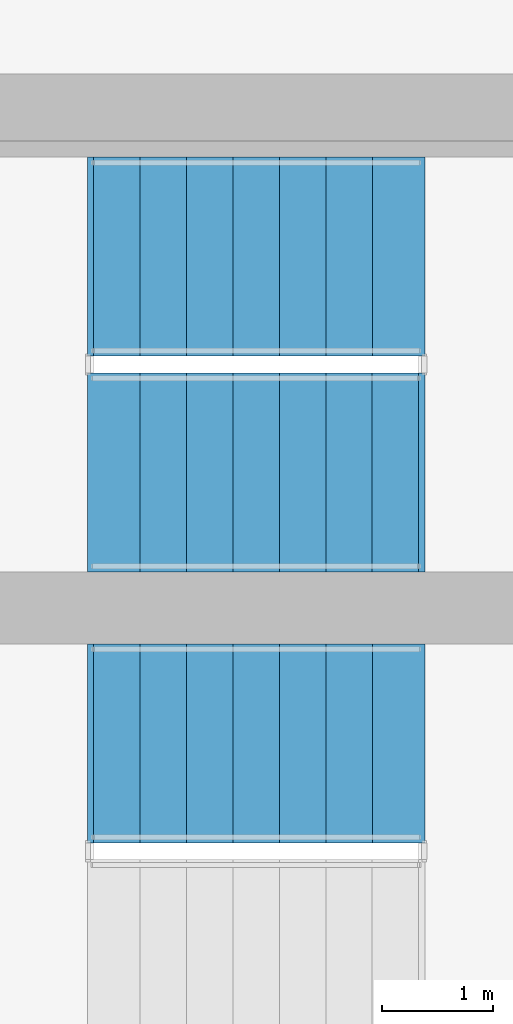
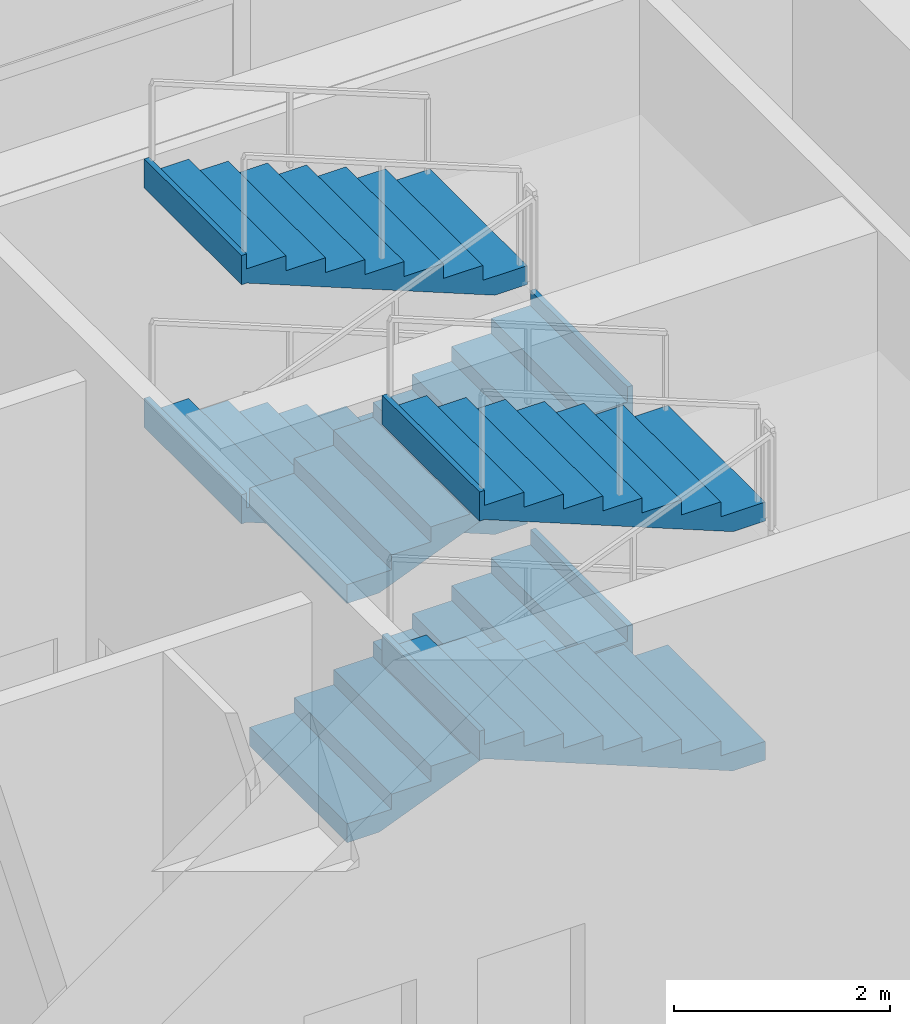
# One storey, part 12 of 16: 6 stair flights, 2 elements without a shape of their own.
"""IFC4 building model written with IfcOpenShell, lengths in metres."""

from ifc_helpers import new_model, si_unit, direction, frame, origin, place, context, subcontext, project, spatial, polyline, outline, extrude, material, type_object, element, aggregate, save


model = new_model("IFC4")

# Units and contexts
model_context = context("Model", 3, precision=1e-05, world=origin(), true_north=direction((0.0, 1.0)))
body_context = subcontext(model_context, "Body", "Model", "MODEL_VIEW")
ifc_project = project(units=[si_unit("LENGTHUNIT", "METRE"), si_unit("AREAUNIT", "SQUARE_METRE"), si_unit("VOLUMEUNIT", "CUBIC_METRE"), si_unit("PLANEANGLEUNIT", "RADIAN"), si_unit("MASSUNIT", "GRAM", prefix="KILO")], contexts=[model_context])

# Site, building, storey
site_placement = place(None, origin())
site = spatial("IfcSite", under=ifc_project, at=site_placement, CompositionType="ELEMENT")
building_placement = place(site_placement, origin())
building = spatial("IfcBuilding", under=site, at=building_placement, Name="Caeloran Harvest Quay", CompositionType="ELEMENT")
storey_placement = place(building_placement, frame((0.0, 0.0, 16.199951171875)))
storey = spatial("IfcBuildingStorey", under=building, at=storey_placement, Name="L04", CompositionType="ELEMENT", Elevation=16.199951171875)

# Stair, stair flights
ifc_material = material(Name="Concrete C50/60", Category="concrete")
stair_type = type_object("IfcStairType", Name="STAIR-STC-180", PredefinedType="HALF_TURN_STAIR", material=ifc_material)
stair_1_placement = place(storey_placement, origin())
stair_1 = element("IfcStair", 1, at=stair_1_placement, inside=storey, type_object=stair_type, Name="L04 Core Pressurized Exit Stair ST-C1", PredefinedType="HALF_TURN_STAIR")
stair_flight_type = type_object("IfcStairFlightType", Name="FLIGHT-STC-180", PredefinedType="STRAIGHT", material=ifc_material)
stair_flight_1_placement = place(storey_placement, frame((15.89990234375, 37.39990234375, 0.0), z_axis=(0.0, 0.0, 1.0), x_axis=(1.0, 0.0, 0.0)))
stair_flight_1 = element("IfcStairFlight", 2, at=stair_flight_1_placement, type_object=stair_flight_type, Name="ST-C1 flight 1", NumberOfRisers=8, NumberOfTreads=7, PredefinedType="STRAIGHT", RiserHeight=0.16875, TreadLength=0.42, context=body_context, shape_type="SweptSolid", body=[
    extrude(outline(polyline([(-0.054931640625, -0.044921875), (-0.054931640625, -0.03173828125), (-0.054931640625, -0.018310546875), (-0.054931640625, -0.0048828125), (-0.054931640625, 0.008544921875), (-0.054931640625, 0.021728515625), (-0.054931640625, 0.03515625), (-0.054931640625, 0.048583984375), (-0.054931640625, 0.061767578125), (-0.054931640625, 0.0751953125), (-0.054931640625, 0.088623046875), (-0.054931640625, 0.10205078125), (-0.054931640625, 0.115234375), (-0.054931640625, 0.128662109375), (-0.054931640625, 0.14208984375), (-0.054931640625, 0.1552734375), (-0.054931640625, 0.168701171875), (0.419921875, 0.168701171875), (0.419921875, 0.33740234375), (0.840087890625, 0.33740234375), (0.840087890625, 0.50634765625), (1.260009765625, 0.50634765625), (1.260009765625, 0.675048828125), (1.679931640625, 0.675048828125), (1.679931640625, 0.84375), (2.10009765625, 0.84375), (2.10009765625, 1.012451171875), (2.52001953125, 1.012451171875), (2.52001953125, 1.18115234375), (2.93994140625, 1.18115234375), (2.93994140625, 1.35009765625), (2.9951171875, 1.35009765625), (2.9951171875, 1.329345703125), (2.9951171875, 1.30859375), (2.9951171875, 1.2880859375), (2.9951171875, 1.267333984375), (2.9951171875, 1.246826171875), (2.9951171875, 1.22607421875), (2.9951171875, 1.20556640625), (2.9951171875, 1.184814453125), (2.9951171875, 1.164306640625), (2.9951171875, 1.1435546875), (2.9951171875, 1.122802734375), (2.9951171875, 1.102294921875), (2.9951171875, 1.08154296875), (2.9951171875, 1.06103515625), (2.9951171875, 1.040283203125), (2.9951171875, 1.019775390625), (2.93994140625, 1.019775390625), (0.2900390625, -0.044921875), (-0.054931640625, -0.044921875)])), frame((0.0, 0.89990234375, 0.0), z_axis=(0.0, -1.0, 0.0), x_axis=(1.0, 0.0, 0.0)), (0.0, 0.0, 1.0), 1.800048828125),
])
stair_flight_2_placement = place(storey_placement, frame((18.840087890625, 39.35009765625, 1.35009765625), z_axis=(0.0, 0.0, 1.0), x_axis=(-1.0, 0.0, 0.0)))
stair_flight_2 = element("IfcStairFlight", 3, at=stair_flight_2_placement, type_object=stair_flight_type, Name="ST-C1 flight 2", NumberOfRisers=8, NumberOfTreads=7, PredefinedType="STRAIGHT", RiserHeight=0.16875, TreadLength=0.42, context=body_context, shape_type="SweptSolid", body=[
    extrude(outline(polyline([(-0.054931640625, -0.044921875), (-0.054931640625, -0.03173828125), (-0.054931640625, -0.018310546875), (-0.054931640625, -0.0048828125), (-0.054931640625, 0.008544921875), (-0.054931640625, 0.021728515625), (-0.054931640625, 0.03515625), (-0.054931640625, 0.048583984375), (-0.054931640625, 0.061767578125), (-0.054931640625, 0.0751953125), (-0.054931640625, 0.088623046875), (-0.054931640625, 0.10205078125), (-0.054931640625, 0.115234375), (-0.054931640625, 0.128662109375), (-0.054931640625, 0.14208984375), (-0.054931640625, 0.1552734375), (-0.054931640625, 0.168701171875), (0.419921875, 0.168701171875), (0.419921875, 0.33740234375), (0.840087890625, 0.33740234375), (0.840087890625, 0.50634765625), (1.260009765625, 0.50634765625), (1.260009765625, 0.675048828125), (1.679931640625, 0.675048828125), (1.679931640625, 0.84375), (2.10009765625, 0.84375), (2.10009765625, 1.012451171875), (2.52001953125, 1.012451171875), (2.52001953125, 1.18115234375), (2.93994140625, 1.18115234375), (2.93994140625, 1.35009765625), (2.9951171875, 1.35009765625), (2.9951171875, 1.329345703125), (2.9951171875, 1.30859375), (2.9951171875, 1.2880859375), (2.9951171875, 1.267333984375), (2.9951171875, 1.246826171875), (2.9951171875, 1.22607421875), (2.9951171875, 1.20556640625), (2.9951171875, 1.184814453125), (2.9951171875, 1.164306640625), (2.9951171875, 1.1435546875), (2.9951171875, 1.122802734375), (2.9951171875, 1.102294921875), (2.9951171875, 1.08154296875), (2.9951171875, 1.06103515625), (2.9951171875, 1.040283203125), (2.9951171875, 1.019775390625), (2.93994140625, 1.019775390625), (0.2900390625, -0.044921875), (-0.054931640625, -0.044921875)])), frame((0.0, 0.89990234375, 0.0), z_axis=(0.0, -1.0, 0.0), x_axis=(1.0, 0.0, 0.0)), (0.0, 0.0, 1.0), 1.800048828125),
])
stair_flight_3_placement = place(storey_placement, frame((15.89990234375, 37.39990234375, 2.699951171875), z_axis=(0.0, 0.0, 1.0), x_axis=(1.0, 0.0, 0.0)))
stair_flight_3 = element("IfcStairFlight", 4, at=stair_flight_3_placement, type_object=stair_flight_type, Name="ST-C1 flight 3", NumberOfRisers=8, NumberOfTreads=7, PredefinedType="STRAIGHT", RiserHeight=0.16875, TreadLength=0.42, context=body_context, shape_type="SweptSolid", body=[
    extrude(outline(polyline([(-0.054931640625, -0.044921875), (-0.054931640625, -0.03173828125), (-0.054931640625, -0.018310546875), (-0.054931640625, -0.0048828125), (-0.054931640625, 0.008544921875), (-0.054931640625, 0.021728515625), (-0.054931640625, 0.03515625), (-0.054931640625, 0.048583984375), (-0.054931640625, 0.061767578125), (-0.054931640625, 0.0751953125), (-0.054931640625, 0.088623046875), (-0.054931640625, 0.10205078125), (-0.054931640625, 0.115234375), (-0.054931640625, 0.128662109375), (-0.054931640625, 0.14208984375), (-0.054931640625, 0.1552734375), (-0.054931640625, 0.168701171875), (0.419921875, 0.168701171875), (0.419921875, 0.33740234375), (0.840087890625, 0.33740234375), (0.840087890625, 0.50634765625), (1.260009765625, 0.50634765625), (1.260009765625, 0.675048828125), (1.679931640625, 0.675048828125), (1.679931640625, 0.84375), (2.10009765625, 0.84375), (2.10009765625, 1.012451171875), (2.52001953125, 1.012451171875), (2.52001953125, 1.18115234375), (2.93994140625, 1.18115234375), (2.93994140625, 1.35009765625), (2.9951171875, 1.35009765625), (2.9951171875, 1.329345703125), (2.9951171875, 1.30859375), (2.9951171875, 1.2880859375), (2.9951171875, 1.267333984375), (2.9951171875, 1.246826171875), (2.9951171875, 1.22607421875), (2.9951171875, 1.20556640625), (2.9951171875, 1.184814453125), (2.9951171875, 1.164306640625), (2.9951171875, 1.1435546875), (2.9951171875, 1.122802734375), (2.9951171875, 1.102294921875), (2.9951171875, 1.08154296875), (2.9951171875, 1.06103515625), (2.9951171875, 1.040283203125), (2.9951171875, 1.019775390625), (2.93994140625, 1.019775390625), (0.2900390625, -0.044921875), (-0.054931640625, -0.044921875)])), frame((0.0, 0.89990234375, 0.0), z_axis=(0.0, -1.0, 0.0), x_axis=(1.0, 0.0, 0.0)), (0.0, 0.0, 1.0), 1.800048828125),
])
stair_flight_4_placement = place(storey_placement, frame((18.840087890625, 39.35009765625, 4.050048828125), z_axis=(0.0, 0.0, 1.0), x_axis=(-1.0, 0.0, 0.0)))
stair_flight_4 = element("IfcStairFlight", 5, at=stair_flight_4_placement, type_object=stair_flight_type, Name="ST-C1 flight 4", NumberOfRisers=8, NumberOfTreads=7, PredefinedType="STRAIGHT", RiserHeight=0.16875, TreadLength=0.42, context=body_context, shape_type="SweptSolid", body=[
    extrude(outline(polyline([(-0.054931640625, -0.044921875), (-0.054931640625, -0.03173828125), (-0.054931640625, -0.018310546875), (-0.054931640625, -0.0048828125), (-0.054931640625, 0.008544921875), (-0.054931640625, 0.021728515625), (-0.054931640625, 0.03515625), (-0.054931640625, 0.048583984375), (-0.054931640625, 0.061767578125), (-0.054931640625, 0.0751953125), (-0.054931640625, 0.088623046875), (-0.054931640625, 0.10205078125), (-0.054931640625, 0.115234375), (-0.054931640625, 0.128662109375), (-0.054931640625, 0.14208984375), (-0.054931640625, 0.1552734375), (-0.054931640625, 0.168701171875), (0.419921875, 0.168701171875), (0.419921875, 0.33740234375), (0.840087890625, 0.33740234375), (0.840087890625, 0.50634765625), (1.260009765625, 0.50634765625), (1.260009765625, 0.675048828125), (1.679931640625, 0.675048828125), (1.679931640625, 0.84375), (2.10009765625, 0.84375), (2.10009765625, 1.012451171875), (2.52001953125, 1.012451171875), (2.52001953125, 1.18115234375), (2.93994140625, 1.18115234375), (2.93994140625, 1.35009765625), (2.9951171875, 1.35009765625), (2.9951171875, 1.329345703125), (2.9951171875, 1.30859375), (2.9951171875, 1.2880859375), (2.9951171875, 1.267333984375), (2.9951171875, 1.246826171875), (2.9951171875, 1.22607421875), (2.9951171875, 1.20556640625), (2.9951171875, 1.184814453125), (2.9951171875, 1.164306640625), (2.9951171875, 1.1435546875), (2.9951171875, 1.122802734375), (2.9951171875, 1.102294921875), (2.9951171875, 1.08154296875), (2.9951171875, 1.06103515625), (2.9951171875, 1.040283203125), (2.9951171875, 1.019775390625), (2.93994140625, 1.019775390625), (0.2900390625, -0.044921875), (-0.054931640625, -0.044921875)])), frame((0.0, 0.89990234375, 0.0), z_axis=(0.0, -1.0, 0.0), x_axis=(1.0, 0.0, 0.0)), (0.0, 0.0, 1.0), 1.800048828125),
])
aggregate(stair_1, [stair_flight_1, stair_flight_2, stair_flight_3, stair_flight_4])

stair_2_placement = place(storey_placement, origin())
stair_2 = element("IfcStair", 6, at=stair_2_placement, inside=storey, type_object=stair_type, Name="L04 Core Pressurized Exit Stair ST-C2", PredefinedType="HALF_TURN_STAIR")
stair_flight_5_placement = place(storey_placement, frame((18.840087890625, 34.949951171875, 1.35009765625), z_axis=(0.0, 0.0, 1.0), x_axis=(-1.0, 0.0, 0.0)))
stair_flight_5 = element("IfcStairFlight", 7, at=stair_flight_5_placement, type_object=stair_flight_type, Name="ST-C2 flight 2", NumberOfRisers=8, NumberOfTreads=7, PredefinedType="STRAIGHT", RiserHeight=0.16875, TreadLength=0.42, context=body_context, shape_type="SweptSolid", body=[
    extrude(outline(polyline([(-0.054931640625, -0.044921875), (-0.054931640625, -0.03173828125), (-0.054931640625, -0.018310546875), (-0.054931640625, -0.0048828125), (-0.054931640625, 0.008544921875), (-0.054931640625, 0.021728515625), (-0.054931640625, 0.03515625), (-0.054931640625, 0.048583984375), (-0.054931640625, 0.061767578125), (-0.054931640625, 0.0751953125), (-0.054931640625, 0.088623046875), (-0.054931640625, 0.10205078125), (-0.054931640625, 0.115234375), (-0.054931640625, 0.128662109375), (-0.054931640625, 0.14208984375), (-0.054931640625, 0.1552734375), (-0.054931640625, 0.168701171875), (0.419921875, 0.168701171875), (0.419921875, 0.33740234375), (0.840087890625, 0.33740234375), (0.840087890625, 0.50634765625), (1.260009765625, 0.50634765625), (1.260009765625, 0.675048828125), (1.679931640625, 0.675048828125), (1.679931640625, 0.84375), (2.10009765625, 0.84375), (2.10009765625, 1.012451171875), (2.52001953125, 1.012451171875), (2.52001953125, 1.18115234375), (2.93994140625, 1.18115234375), (2.93994140625, 1.35009765625), (2.9951171875, 1.35009765625), (2.9951171875, 1.329345703125), (2.9951171875, 1.30859375), (2.9951171875, 1.2880859375), (2.9951171875, 1.267333984375), (2.9951171875, 1.246826171875), (2.9951171875, 1.22607421875), (2.9951171875, 1.20556640625), (2.9951171875, 1.184814453125), (2.9951171875, 1.164306640625), (2.9951171875, 1.1435546875), (2.9951171875, 1.122802734375), (2.9951171875, 1.102294921875), (2.9951171875, 1.08154296875), (2.9951171875, 1.06103515625), (2.9951171875, 1.040283203125), (2.9951171875, 1.019775390625), (2.93994140625, 1.019775390625), (0.2900390625, -0.044921875), (-0.054931640625, -0.044921875)])), frame((0.0, 0.89990234375, 0.0), z_axis=(0.0, -1.0, 0.0), x_axis=(1.0, 0.0, 0.0)), (0.0, 0.0, 1.0), 1.800048828125),
])
stair_flight_6_placement = place(storey_placement, frame((18.840087890625, 34.949951171875, 4.050048828125), z_axis=(0.0, 0.0, 1.0), x_axis=(-1.0, 0.0, 0.0)))
stair_flight_6 = element("IfcStairFlight", 8, at=stair_flight_6_placement, type_object=stair_flight_type, Name="ST-C2 flight 4", NumberOfRisers=8, NumberOfTreads=7, PredefinedType="STRAIGHT", RiserHeight=0.16875, TreadLength=0.42, context=body_context, shape_type="SweptSolid", body=[
    extrude(outline(polyline([(-0.054931640625, -0.044921875), (-0.054931640625, -0.03173828125), (-0.054931640625, -0.018310546875), (-0.054931640625, -0.0048828125), (-0.054931640625, 0.008544921875), (-0.054931640625, 0.021728515625), (-0.054931640625, 0.03515625), (-0.054931640625, 0.048583984375), (-0.054931640625, 0.061767578125), (-0.054931640625, 0.0751953125), (-0.054931640625, 0.088623046875), (-0.054931640625, 0.10205078125), (-0.054931640625, 0.115234375), (-0.054931640625, 0.128662109375), (-0.054931640625, 0.14208984375), (-0.054931640625, 0.1552734375), (-0.054931640625, 0.168701171875), (0.419921875, 0.168701171875), (0.419921875, 0.33740234375), (0.840087890625, 0.33740234375), (0.840087890625, 0.50634765625), (1.260009765625, 0.50634765625), (1.260009765625, 0.675048828125), (1.679931640625, 0.675048828125), (1.679931640625, 0.84375), (2.10009765625, 0.84375), (2.10009765625, 1.012451171875), (2.52001953125, 1.012451171875), (2.52001953125, 1.18115234375), (2.93994140625, 1.18115234375), (2.93994140625, 1.35009765625), (2.9951171875, 1.35009765625), (2.9951171875, 1.329345703125), (2.9951171875, 1.30859375), (2.9951171875, 1.2880859375), (2.9951171875, 1.267333984375), (2.9951171875, 1.246826171875), (2.9951171875, 1.22607421875), (2.9951171875, 1.20556640625), (2.9951171875, 1.184814453125), (2.9951171875, 1.164306640625), (2.9951171875, 1.1435546875), (2.9951171875, 1.122802734375), (2.9951171875, 1.102294921875), (2.9951171875, 1.08154296875), (2.9951171875, 1.06103515625), (2.9951171875, 1.040283203125), (2.9951171875, 1.019775390625), (2.93994140625, 1.019775390625), (0.2900390625, -0.044921875), (-0.054931640625, -0.044921875)])), frame((0.0, 0.89990234375, 0.0), z_axis=(0.0, -1.0, 0.0), x_axis=(1.0, 0.0, 0.0)), (0.0, 0.0, 1.0), 1.800048828125),
])
aggregate(stair_2, [stair_flight_5, stair_flight_6])

save(model, "model.ifc")
